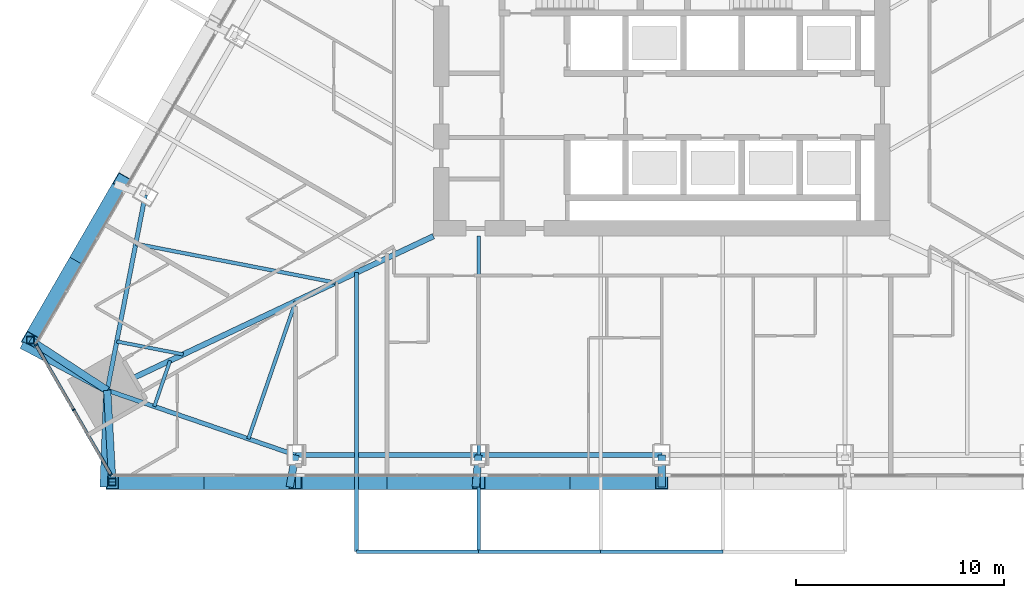
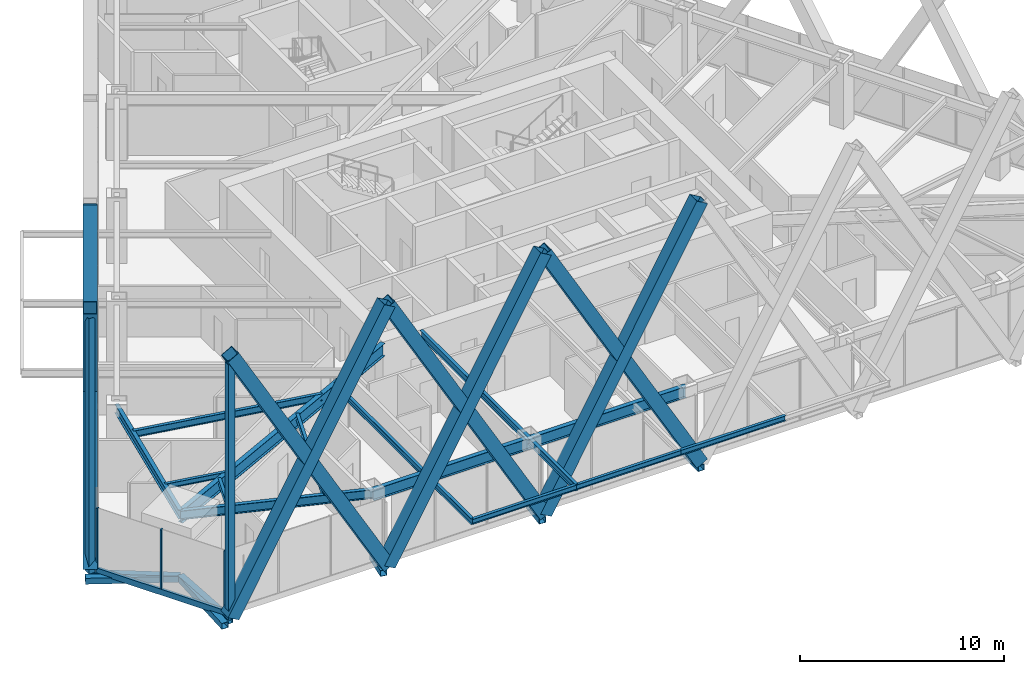
# One storey, part 2 of 19: 21 members, 13 beams, 1 element without a shape of its own.
"""IFC4 building model written with IfcOpenShell, lengths in metres."""

from ifc_helpers import new_model, si_unit, direction, frame, origin, origin_2d, place, context, subcontext, project, spatial, rectangle, hollow_rectangle, i_section, extrude, material, layer, layer_set, material_profile, profile_set, type_object, element, aggregate, save


model = new_model("IFC4")

# Units and contexts
model_context = context("Model", 3, precision=1e-05, world=origin(), true_north=direction((0.0, 1.0)))
body_context = subcontext(model_context, "Body", "Model", "MODEL_VIEW")
ifc_project = project(units=[si_unit("LENGTHUNIT", "METRE"), si_unit("AREAUNIT", "SQUARE_METRE"), si_unit("VOLUMEUNIT", "CUBIC_METRE"), si_unit("PLANEANGLEUNIT", "RADIAN"), si_unit("MASSUNIT", "GRAM", prefix="KILO")], contexts=[model_context])

# Site, building, storey
site_placement = place(None, origin())
site = spatial("IfcSite", under=ifc_project, at=site_placement, CompositionType="ELEMENT")
building_placement = place(site_placement, origin())
building = spatial("IfcBuilding", under=site, at=building_placement, Name="Firuza Gate Tower and Library", CompositionType="ELEMENT")
storey_placement = place(building_placement, frame((0.0, 0.0, 187.0)))
storey = spatial("IfcBuildingStorey", under=building, at=storey_placement, Name="L43", CompositionType="ELEMENT", Elevation=187.0)

# Members
ifc_material_1 = material(Name="Steel S355", Category="steel")
ifc_material_profile_1 = material_profile(ifc_material_1, hollow_rectangle(XDim=0.699951171875, YDim=0.699951171875, WallThickness=0.030029296875, at=origin_2d()))
ifc_profile_set_1 = profile_set([ifc_material_profile_1], Name="Steel S355")
member_type_1 = type_object("IfcMemberType", Name="BU700x700x30 Lattice brace", PredefinedType="BRACE", material=ifc_profile_set_1)
for number, where, z_axis, x_axis, name in (
    (1, (48.5283203125, 55.15966796875, 0.0), (0.492333278608, 0.0, 0.870406768572), (0.0, 1.0, 0.0), "Lattice brace S 10.1R"),
    (2, (57.352294921875, 55.15966796875, 0.0), (-0.492333278608, 0.0, 0.870406768572), (0.0, -1.0, 0.0), "Lattice brace S 10.1L"),
):
    element("IfcMember", number, at=place(storey_placement, frame(where, z_axis=z_axis, x_axis=x_axis)), inside=storey, type_object=member_type_1, Name=name, PredefinedType="BRACE", context=body_context, shape_type="SweptSolid", body=[
        extrude(hollow_rectangle(XDim=0.699951171875, YDim=0.699951171875, WallThickness=0.030029296875, at=origin_2d()), origin(), (0.0, 0.0, 1.0), 17.9228515625),
    ])
for number, where, z_axis, x_axis, name in (
    (3, (57.352294921875, 55.15966796875, 0.0), (0.492322958508, 0.0, 0.870412605909), (0.0, 1.0, 0.0), "Lattice brace S 10.2R"),
    (4, (66.176025390625, 55.15966796875, 0.0), (-0.492322958508, 0.0, 0.870412605909), (0.0, -1.0, 0.0), "Lattice brace S 10.2L"),
):
    element("IfcMember", number, at=place(storey_placement, frame(where, z_axis=z_axis, x_axis=x_axis)), inside=storey, type_object=member_type_1, Name=name, PredefinedType="BRACE", context=body_context, shape_type="SweptSolid", body=[
        extrude(hollow_rectangle(XDim=0.699951171875, YDim=0.699951171875, WallThickness=0.030029296875, at=origin_2d()), origin(), (0.0, 0.0, 1.0), 17.922607421875),
    ])
for number, where, z_axis, x_axis, name in (
    (5, (66.176025390625, 55.15966796875, 0.0), (0.492333278608, 0.0, 0.870406768572), (0.0, 1.0, 0.0), "Lattice brace S 10.3R"),
    (6, (75.0, 55.15966796875, 0.0), (-0.492333278608, 0.0, 0.870406768572), (0.0, -1.0, 0.0), "Lattice brace S 10.3L"),
):
    element("IfcMember", number, at=place(storey_placement, frame(where, z_axis=z_axis, x_axis=x_axis)), inside=storey, type_object=member_type_1, Name=name, PredefinedType="BRACE", context=body_context, shape_type="SweptSolid", body=[
        extrude(hollow_rectangle(XDim=0.699951171875, YDim=0.699951171875, WallThickness=0.030029296875, at=origin_2d()), origin(), (0.0, 0.0, 1.0), 17.9228515625),
    ])
for number, where, z_axis, x_axis, name in (
    (7, (48.993896484375, 69.63671875, 0.0), (-0.246161322195, -0.426365413352, 0.870412050556), (0.866026163676, -0.499998683827, 0.0), "Lattice brace W 10.6R"),
    (8, (44.58203125, 61.9951171875, 0.0), (0.246161322195, 0.426365413352, 0.870412050556), (-0.866026163676, 0.499998683827, 0.0), "Lattice brace W 10.6L"),
):
    element("IfcMember", number, at=place(storey_placement, frame(where, z_axis=z_axis, x_axis=x_axis)), inside=storey, type_object=member_type_1, Name=name, PredefinedType="BRACE", context=body_context, shape_type="SweptSolid", body=[
        extrude(hollow_rectangle(XDim=0.699951171875, YDim=0.699951171875, WallThickness=0.030029296875, at=origin_2d()), origin(), (0.0, 0.0, 1.0), 17.922607421875),
    ])

# Curtain wall, members
ifc_material_2 = material(Name="Aluminium 6063-T6", Category="aluminium")
ifc_layer = layer(ifc_material_2, 0.14990234375)
ifc_layer_set = layer_set([ifc_layer], Name="Corner curtain wall, chamfers")
curtain_wall_type = type_object("IfcCurtainWallType", Name="Corner curtain wall, chamfers", PredefinedType="NOTDEFINED", material=ifc_layer_set)
curtain_wall_placement = place(storey_placement, origin())
curtain_wall = element("IfcCurtainWall", 9, at=curtain_wall_placement, inside=storey, type_object=curtain_wall_type, Name="CW4 L43 SW corner", PredefinedType="NOTDEFINED")
ifc_material_3 = material(Name="Aluminium 6063-T6", Category="aluminium")
ifc_material_profile_2 = material_profile(ifc_material_3, rectangle(XDim=0.14990234375, YDim=0.080078125, at=origin_2d()))
ifc_profile_set_2 = profile_set([ifc_material_profile_2], Name="Aluminium 6063-T6")
member_type_2 = type_object("IfcMemberType", Name="Curtain wall mullion 80x150", PredefinedType="MULLION", material=ifc_profile_set_2)
member_1_placement = place(storey_placement, frame((44.86181640625, 61.760498046875, 0.14990234375), z_axis=(0.0, 0.0, 1.0), x_axis=(0.866025403784, 0.5, 0.0)))
member_1 = element("IfcMember", 10, at=member_1_placement, type_object=member_type_2, Name="Mullion", PredefinedType="MULLION", context=body_context, shape_type="SweptSolid", body=[
    extrude(rectangle(XDim=0.14990234375, YDim=0.080078125, at=origin_2d()), origin(), (0.0, 0.0, 1.0), 3.550048828125),
])
member_2_placement = place(storey_placement, frame((46.66357421875, 58.639892578125, 0.14990234375), z_axis=(0.0, 0.0, 1.0), x_axis=(0.866025403784, 0.5, 0.0)))
member_2 = element("IfcMember", 11, at=member_2_placement, type_object=member_type_2, Name="Mullion", PredefinedType="MULLION", context=body_context, shape_type="SweptSolid", body=[
    extrude(rectangle(XDim=0.14990234375, YDim=0.080078125, at=origin_2d()), origin(), (0.0, 0.0, 1.0), 3.550048828125),
])
member_3_placement = place(storey_placement, frame((48.465087890625, 55.519287109375, 0.14990234375), z_axis=(0.0, 0.0, 1.0), x_axis=(0.866025403784, 0.5, 0.0)))
member_3 = element("IfcMember", 12, at=member_3_placement, type_object=member_type_2, Name="Mullion", PredefinedType="MULLION", context=body_context, shape_type="SweptSolid", body=[
    extrude(rectangle(XDim=0.14990234375, YDim=0.080078125, at=origin_2d()), origin(), (0.0, 0.0, 1.0), 3.550048828125),
])
ifc_material_4 = material(Name="Aluminium 6063-T6", Category="aluminium")
ifc_material_profile_3 = material_profile(ifc_material_4, rectangle(XDim=0.14990234375, YDim=0.35009765625, at=origin_2d()))
ifc_profile_set_3 = profile_set([ifc_material_profile_3], Name="Aluminium 6063-T6")
member_type_3 = type_object("IfcMemberType", Name="Curtain wall transom 350x150", PredefinedType="USERDEFINED", material=ifc_profile_set_3)
member_4_placement = place(storey_placement, frame((44.841796875, 61.795166015625, -0.02490234375), z_axis=(0.499991211061, -0.866030478021, 0.0), x_axis=(0.866030478021, 0.499991211061, 0.0)))
member_4 = element("IfcMember", 13, at=member_4_placement, type_object=member_type_3, Name="Transom", ObjectType="TRANSOM", PredefinedType="USERDEFINED", context=body_context, shape_type="SweptSolid", body=[
    extrude(rectangle(XDim=0.14990234375, YDim=0.35009765625, at=origin_2d()), origin(), (0.0, 0.0, 1.0), 7.286865234375),
])
aggregate(curtain_wall, [member_1, member_2, member_3, member_4])

# Members
ifc_material_5 = material(Name="Steel S355", Category="steel")
ifc_material_profile_4 = material_profile(ifc_material_5, hollow_rectangle(XDim=0.355712890625, YDim=0.355712890625, WallThickness=0.014892578125, at=origin_2d()))
ifc_profile_set_4 = profile_set([ifc_material_profile_4], Name="Steel S355")
member_type_4 = type_object("IfcMemberType", Name="HSS356x356x16 Lattice corner stile", PredefinedType="BRACE", material=ifc_profile_set_4)
for number, where, z_axis, x_axis, name in (
    (14, (48.5283203125, 55.15966796875, -0.139892578125), (0.0, 0.0, 1.0), (1.0, 0.0, 0.0), "Lattice corner stile S 10.A"),
    (15, (44.58203125, 61.9951171875, -0.139892578125), (0.0, 0.0, 1.0), (1.0, 0.0, 0.0), "Lattice corner stile W 10.B"),
):
    element("IfcMember", number, at=place(storey_placement, frame(where, z_axis=z_axis, x_axis=x_axis)), inside=storey, type_object=member_type_4, Name=name, PredefinedType="BRACE", context=body_context, shape_type="SweptSolid", body=[
        extrude(hollow_rectangle(XDim=0.355712890625, YDim=0.355712890625, WallThickness=0.014892578125, at=origin_2d()), origin(), (0.0, 0.0, 1.0), 15.239990234375),
    ])
ifc_material_6 = material(Name="Steel S355", Category="steel")
ifc_material_profile_5 = material_profile(ifc_material_6, hollow_rectangle(XDim=0.355712890625, YDim=0.355712890625, WallThickness=0.014892578125, at=origin_2d()))
ifc_profile_set_5 = profile_set([ifc_material_profile_5], Name="Steel S355")
member_type_5 = type_object("IfcMemberType", Name="HSS356x356x16 Lattice node tie", PredefinedType="BRACE", material=ifc_profile_set_5)
member_5_placement = place(storey_placement, frame((48.287353515625, 59.577392578125, -0.320068359375), z_axis=(-0.037145365408, -0.999309872777, 0.0), x_axis=(0.999309872777, -0.037145365408, 0.0)))
element("IfcMember", 16, at=member_5_placement, inside=storey, type_object=member_type_5, Name="Lattice node tie S L43 211", PredefinedType="BRACE", context=body_context, shape_type="SweptSolid", body=[
    extrude(hollow_rectangle(XDim=0.355712890625, YDim=0.355712890625, WallThickness=0.014892578125, at=origin_2d()), origin(), (0.0, 0.0, 1.0), 4.659912109375),
])
member_6_placement = place(storey_placement, frame((48.287353515625, 59.577392578125, -0.320068359375), z_axis=(0.05446449316, -0.998515707931, 0.0), x_axis=(0.998515707931, 0.05446449316, 0.0)))
element("IfcMember", 17, at=member_6_placement, inside=storey, type_object=member_type_5, Name="Lattice node tie S L43 212", PredefinedType="BRACE", context=body_context, shape_type="SweptSolid", body=[
    extrude(hollow_rectangle(XDim=0.355712890625, YDim=0.355712890625, WallThickness=0.014892578125, at=origin_2d()), origin(), (0.0, 0.0, 1.0), 4.42431640625),
])
member_7_placement = place(storey_placement, frame((57.352294921875, 56.459716796875, -0.320068359375), z_axis=(-0.176590369853, -0.984284431084, 0.0), x_axis=(0.984284431084, -0.176590369853, 0.0)))
element("IfcMember", 18, at=member_7_placement, inside=storey, type_object=member_type_5, Name="Lattice node tie S L43 213", PredefinedType="BRACE", context=body_context, shape_type="SweptSolid", body=[
    extrude(hollow_rectangle(XDim=0.355712890625, YDim=0.355712890625, WallThickness=0.014892578125, at=origin_2d()), origin(), (0.0, 0.0, 1.0), 1.563720703125),
])
member_8_placement = place(storey_placement, frame((66.176025390625, 56.459716796875, -0.320068359375), z_axis=(-0.089267818414, -0.996007658904, 0.0), x_axis=(0.996007658904, -0.089267818414, 0.0)))
element("IfcMember", 19, at=member_8_placement, inside=storey, type_object=member_type_5, Name="Lattice node tie S L43 214", PredefinedType="BRACE", context=body_context, shape_type="SweptSolid", body=[
    extrude(hollow_rectangle(XDim=0.355712890625, YDim=0.355712890625, WallThickness=0.014892578125, at=origin_2d()), origin(), (0.0, 0.0, 1.0), 1.545166015625),
])
member_9_placement = place(storey_placement, frame((75.0, 56.459716796875, -0.320068359375), z_axis=(0.0, -1.0, 0.0), x_axis=(1.0, 0.0, 0.0)))
element("IfcMember", 20, at=member_9_placement, inside=storey, type_object=member_type_5, Name="Lattice node tie S L43 215", PredefinedType="BRACE", context=body_context, shape_type="SweptSolid", body=[
    extrude(hollow_rectangle(XDim=0.355712890625, YDim=0.355712890625, WallThickness=0.014892578125, at=origin_2d()), origin(), (0.0, 0.0, 1.0), 1.5390625),
])
member_10_placement = place(storey_placement, frame((48.287353515625, 59.577392578125, -0.320068359375), z_axis=(-0.884010822898, 0.46746643195, 0.0), x_axis=(-0.46746643195, -0.884010822898, 0.0)))
element("IfcMember", 21, at=member_10_placement, inside=storey, type_object=member_type_5, Name="Lattice node tie W L43 220", PredefinedType="BRACE", context=body_context, shape_type="SweptSolid", body=[
    extrude(hollow_rectangle(XDim=0.355712890625, YDim=0.355712890625, WallThickness=0.014892578125, at=origin_2d()), origin(), (0.0, 0.0, 1.0), 4.66015625),
])
member_11_placement = place(storey_placement, frame((48.287353515625, 59.577392578125, -0.320068359375), z_axis=(-0.837485429113, 0.546459656355, 0.0), x_axis=(-0.546459656355, -0.837485429113, 0.0)))
element("IfcMember", 22, at=member_11_placement, inside=storey, type_object=member_type_5, Name="Lattice node tie W L43 221", PredefinedType="BRACE", context=body_context, shape_type="SweptSolid", body=[
    extrude(hollow_rectangle(XDim=0.355712890625, YDim=0.355712890625, WallThickness=0.014892578125, at=origin_2d()), origin(), (0.0, 0.0, 1.0), 4.42431640625),
])

# Beams
ifc_material_7 = material(Name="Steel S355", Category="steel")
ifc_material_profile_6 = material_profile(ifc_material_7, i_section(OverallWidth=0.1650390625, OverallDepth=0.31005859375, WebThickness=0.005859375, FlangeThickness=0.009765625, at=origin_2d()))
ifc_profile_set_6 = profile_set([ifc_material_profile_6], Name="Steel S355")
beam_type_1 = type_object("IfcBeamType", Name="W310x39 Floor beam", PredefinedType="JOIST", material=ifc_profile_set_6)
beam_1_placement = place(storey_placement, frame((48.745361328125, 61.9296875, 3.544921875), z_axis=(0.981558472637, -0.191162142681, 0.0), x_axis=(0.191162142681, 0.981558472637, 0.0)))
element("IfcBeam", 23, at=beam_1_placement, inside=storey, type_object=beam_type_1, Name="Floor beam L43 s01", PredefinedType="JOIST", context=body_context, shape_type="SweptSolid", body=[
    extrude(i_section(OverallWidth=0.1650390625, OverallDepth=0.31005859375, WebThickness=0.005859375, FlangeThickness=0.009765625, at=origin_2d()), origin(), (0.0, 0.0, 1.0), 3.26171875),
])
beam_2_placement = place(storey_placement, frame((50.553466796875, 58.798095703125, 3.544921875), z_axis=(0.325275479668, 0.945619300949, 0.0), x_axis=(-0.945619300949, 0.325275479668, 0.0)))
element("IfcBeam", 24, at=beam_2_placement, inside=storey, type_object=beam_type_1, Name="Floor beam L43 s10", PredefinedType="JOIST", context=body_context, shape_type="SweptSolid", body=[
    extrude(i_section(OverallWidth=0.1650390625, OverallDepth=0.31005859375, WebThickness=0.005859375, FlangeThickness=0.009765625, at=origin_2d()), origin(), (0.0, 0.0, 1.0), 2.335693359375),
])
for number, where, z_axis, x_axis, name in (
    (25, (60.29345703125, 51.809814453125, 3.544921875), (1.0, 0.0, 0.0), (0.0, 1.0, 0.0), "Tray edge beam L43 s20-s21"),
    (26, (66.176025390625, 51.809814453125, 3.544921875), (1.0, 0.0, 0.0), (0.0, 1.0, 0.0), "Tray edge beam L43 s21-s22"),
):
    element("IfcBeam", number, at=place(storey_placement, frame(where, z_axis=z_axis, x_axis=x_axis)), inside=storey, type_object=beam_type_1, Name=name, PredefinedType="JOIST", context=body_context, shape_type="SweptSolid", body=[
        extrude(i_section(OverallWidth=0.1650390625, OverallDepth=0.31005859375, WebThickness=0.005859375, FlangeThickness=0.009765625, at=origin_2d()), origin(), (0.0, 0.0, 1.0), 5.882568359375),
    ])
beam_3_placement = place(storey_placement, frame((72.05859375, 51.809814453125, 3.544921875), z_axis=(1.0, 0.0, 0.0), x_axis=(0.0, 1.0, 0.0)))
element("IfcBeam", 27, at=beam_3_placement, inside=storey, type_object=beam_type_1, Name="Tray edge beam L43 s22-s23", PredefinedType="JOIST", context=body_context, shape_type="SweptSolid", body=[
    extrude(i_section(OverallWidth=0.1650390625, OverallDepth=0.31005859375, WebThickness=0.005859375, FlangeThickness=0.009765625, at=origin_2d()), origin(), (0.0, 0.0, 1.0), 5.8828125),
])
ifc_material_8 = material(Name="Steel S355", Category="steel")
ifc_material_profile_7 = material_profile(ifc_material_8, i_section(OverallWidth=0.1708984375, OverallDepth=0.35498046875, WebThickness=0.007080078125, FlangeThickness=0.01171875, at=origin_2d()))
ifc_profile_set_7 = profile_set([ifc_material_profile_7], Name="Steel S355")
beam_type_2 = type_object("IfcBeamType", Name="W360x51 Floor beam", PredefinedType="JOIST", material=ifc_profile_set_7)
beam_4_placement = place(storey_placement, frame((55.0859375, 57.239013671875, 3.5224609375), z_axis=(0.32522289411, 0.945637387769, 0.0), x_axis=(-0.945637387769, 0.32522289411, 0.0)))
element("IfcBeam", 28, at=beam_4_placement, inside=storey, type_object=beam_type_2, Name="Floor beam L43 s11", PredefinedType="JOIST", context=body_context, shape_type="SweptSolid", body=[
    extrude(i_section(OverallWidth=0.1708984375, OverallDepth=0.35498046875, WebThickness=0.007080078125, FlangeThickness=0.01171875, at=origin_2d()), origin(), (0.0, 0.0, 1.0), 7.007568359375),
])
beam_5_placement = place(storey_placement, frame((60.29345703125, 51.809814453125, 3.5224609375), z_axis=(0.0, 1.0, 0.0), x_axis=(-1.0, 0.0, 0.0)))
element("IfcBeam", 29, at=beam_5_placement, inside=storey, type_object=beam_type_2, Name="Floor beam L43 s20", PredefinedType="JOIST", context=body_context, shape_type="SweptSolid", body=[
    extrude(i_section(OverallWidth=0.1708984375, OverallDepth=0.35498046875, WebThickness=0.007080078125, FlangeThickness=0.01171875, at=origin_2d()), origin(), (0.0, 0.0, 1.0), 13.439208984375),
])
ifc_material_9 = material(Name="Steel S355", Category="steel")
ifc_material_profile_8 = material_profile(ifc_material_9, i_section(OverallWidth=0.177978515625, OverallDepth=0.406982421875, WebThickness=0.0078125, FlangeThickness=0.0126953125, at=origin_2d()))
ifc_profile_set_8 = profile_set([ifc_material_profile_8], Name="Steel S355")
beam_type_3 = type_object("IfcBeamType", Name="W410x60 Floor beam", PredefinedType="JOIST", material=ifc_profile_set_8)
beam_6_placement = place(storey_placement, frame((49.66162109375, 66.634521484375, 3.49658203125), z_axis=(0.981557560879, -0.191166824215, 0.0), x_axis=(0.191166824215, 0.981557560879, 0.0)))
element("IfcBeam", 30, at=beam_6_placement, inside=storey, type_object=beam_type_3, Name="Floor beam L43 s00", PredefinedType="JOIST", context=body_context, shape_type="SweptSolid", body=[
    extrude(i_section(OverallWidth=0.177978515625, OverallDepth=0.406982421875, WebThickness=0.0078125, FlangeThickness=0.0126953125, at=origin_2d()), origin(), (0.0, 0.0, 1.0), 9.78515625),
])
beam_7_placement = place(storey_placement, frame((66.176025390625, 51.809814453125, 3.49658203125), z_axis=(0.0, 1.0, 0.0), x_axis=(-1.0, 0.0, 0.0)))
element("IfcBeam", 31, at=beam_7_placement, inside=storey, type_object=beam_type_3, Name="Floor beam L43 s21", PredefinedType="JOIST", context=body_context, shape_type="SweptSolid", body=[
    extrude(i_section(OverallWidth=0.177978515625, OverallDepth=0.406982421875, WebThickness=0.0078125, FlangeThickness=0.0126953125, at=origin_2d()), origin(), (0.0, 0.0, 1.0), 15.190185546875),
])
ifc_material_10 = material(Name="Steel S355", Category="steel")
ifc_material_profile_9 = material_profile(ifc_material_10, i_section(OverallWidth=0.212890625, OverallDepth=0.5390625, WebThickness=0.01171875, FlangeThickness=0.018798828125, at=origin_2d()))
ifc_profile_set_9 = profile_set([ifc_material_profile_9], Name="Steel S355")
beam_type_4 = type_object("IfcBeamType", Name="W530x109 Edge beam", PredefinedType="SPANDREL", material=ifc_profile_set_9)
for number, where, z_axis, x_axis, name in (
    (32, (50.119873046875, 68.98681640625, 3.430419921875), (-0.191162086549, -0.981558483569, 0.0), (0.981558483569, -0.191162086549, 0.0), "Edge beam L43 e00"),
    (33, (48.287353515625, 59.577392578125, 3.430419921875), (0.945635206182, -0.325229237354, 0.0), (0.325229237354, 0.945635206182, 0.0), "Edge beam L43 e10"),
):
    element("IfcBeam", number, at=place(storey_placement, frame(where, z_axis=z_axis, x_axis=x_axis)), inside=storey, type_object=beam_type_4, Name=name, PredefinedType="SPANDREL", context=body_context, shape_type="SweptSolid", body=[
        extrude(i_section(OverallWidth=0.212890625, OverallDepth=0.5390625, WebThickness=0.01171875, FlangeThickness=0.018798828125, at=origin_2d()), origin(), (0.0, 0.0, 1.0), 9.586181640625),
    ])
ifc_material_11 = material(Name="Steel S355", Category="steel")
ifc_material_profile_10 = material_profile(ifc_material_11, i_section(OverallWidth=0.2529296875, OverallDepth=0.677978515625, WebThickness=0.01171875, FlangeThickness=0.016357421875, at=origin_2d()))
ifc_profile_set_10 = profile_set([ifc_material_profile_10], Name="Steel S355")
beam_type_5 = type_object("IfcBeamType", Name="W690x125 Edge beam", PredefinedType="SPANDREL", material=ifc_profile_set_10)
beam_8_placement = place(storey_placement, frame((57.352294921875, 56.459716796875, 3.361083984375), z_axis=(1.0, 0.0, 0.0), x_axis=(0.0, 1.0, 0.0)))
element("IfcBeam", 34, at=beam_8_placement, inside=storey, type_object=beam_type_5, Name="Edge beam L43 e20", PredefinedType="SPANDREL", context=body_context, shape_type="SweptSolid", body=[
    extrude(i_section(OverallWidth=0.2529296875, OverallDepth=0.677978515625, WebThickness=0.01171875, FlangeThickness=0.016357421875, at=origin_2d()), origin(), (0.0, 0.0, 1.0), 17.647705078125),
])
ifc_material_12 = material(Name="Steel S355", Category="steel")
ifc_material_profile_11 = material_profile(ifc_material_12, i_section(OverallWidth=0.264892578125, OverallDepth=0.7529296875, WebThickness=0.01318359375, FlangeThickness=0.01708984375, at=origin_2d()))
ifc_profile_set_11 = profile_set([ifc_material_profile_11], Name="Steel S355")
beam_type_6 = type_object("IfcBeamType", Name="W760x147 Girder", PredefinedType="BEAM", material=ifc_profile_set_11)
beam_9_placement = place(storey_placement, frame((48.287353515625, 59.577392578125, 3.323486328125), z_axis=(0.904187610241, 0.427135535266, 0.0), x_axis=(-0.427135535266, 0.904187610241, 0.0)))
element("IfcBeam", 35, at=beam_9_placement, inside=storey, type_object=beam_type_6, Name="Girder L43 gSW", PredefinedType="BEAM", context=body_context, shape_type="SweptSolid", body=[
    extrude(i_section(OverallWidth=0.264892578125, OverallDepth=0.7529296875, WebThickness=0.01318359375, FlangeThickness=0.01708984375, at=origin_2d()), origin(), (0.0, 0.0, 1.0), 17.377685546875),
])

save(model, "model.ifc")
